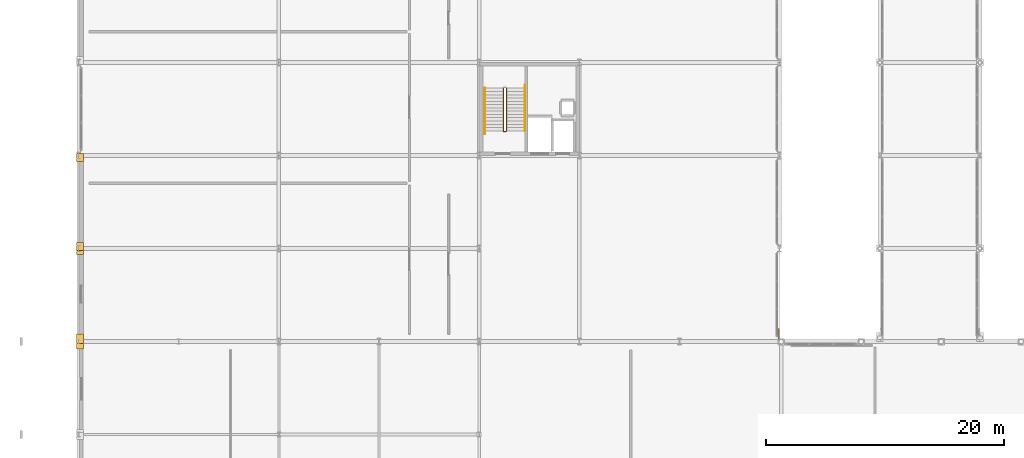
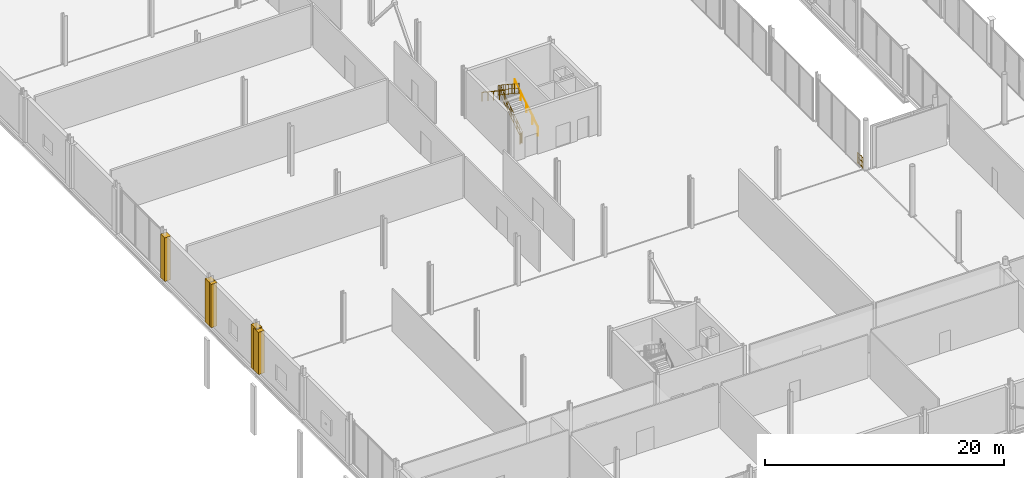
# One storey, part 94 of 105: 6 railings, 5 coverings.
"""IFC4 building model written with IfcOpenShell, lengths in metres."""

from ifc_helpers import new_model, si_unit, direction, frame, origin, origin_2d, place, context, subcontext, project, spatial, polyline, circle, outline, extrude, material, layer, layer_set, type_object, element, save


model = new_model("IFC4")

# Units and contexts
model_context = context("Model", 3, precision=1e-05, world=origin(), true_north=direction((0.0, 1.0)))
body_context = subcontext(model_context, "Body", "Model", "MODEL_VIEW")
ifc_project = project(units=[si_unit("LENGTHUNIT", "METRE"), si_unit("AREAUNIT", "SQUARE_METRE"), si_unit("VOLUMEUNIT", "CUBIC_METRE"), si_unit("PLANEANGLEUNIT", "RADIAN"), si_unit("MASSUNIT", "GRAM", prefix="KILO")], contexts=[model_context])

# Site, building, storey
site_placement = place(None, origin())
site = spatial("IfcSite", under=ifc_project, at=site_placement, CompositionType="ELEMENT")
building_placement = place(site_placement, origin())
building = spatial("IfcBuilding", under=site, at=building_placement, Name="Nabrawat Pavilion Hospital", CompositionType="ELEMENT")
storey_placement = place(building_placement, frame((0.0, 0.0, 5.10009765625)))
storey = spatial("IfcBuildingStorey", under=building, at=storey_placement, Name="L01", CompositionType="ELEMENT", Elevation=5.10009765625)

# Coverings
ifc_material_1 = material(Name="Precast concrete C40/50", Category="concrete")
ifc_layer_1 = layer(ifc_material_1, 0.360107421875, Name="Precast concrete C40/50")
ifc_layer_set_1 = layer_set([ifc_layer_1], Name="Precast concrete C40/50")
covering_type = type_object("IfcCoveringType", Name="Architectural Precast Column-Jamb Closure Reveal", PredefinedType="CLADDING", material=ifc_layer_set_1)
covering_1_placement = place(storey_placement, origin())
element("IfcCovering", 1, at=covering_1_placement, inside=storey, type_object=covering_type, Name="L01 Precast Facade Column-Jamb Weatherseal Closure 0178", PredefinedType="CLADDING", context=body_context, shape_type="SweptSolid", body=[
    extrude(outline(polyline([(0.39990234375, 38.3798828125), (0.39990234375, 39.179931640625), (-0.179931640625, 39.179931640625), (-0.179931640625, 38.3798828125), (0.39990234375, 38.3798828125)])), origin(), (0.0, 0.0, 1.0), 4.329833984375),
])
covering_2_placement = place(storey_placement, origin())
element("IfcCovering", 2, at=covering_2_placement, inside=storey, type_object=covering_type, Name="L01 Precast Facade Column-Jamb Weatherseal Closure 0191", PredefinedType="CLADDING", context=body_context, shape_type="SweptSolid", body=[
    extrude(outline(polyline([(0.39990234375, 38.820068359375), (0.39990234375, 39.6201171875), (-0.179931640625, 39.6201171875), (-0.179931640625, 38.820068359375), (0.39990234375, 38.820068359375)])), origin(), (0.0, 0.0, 1.0), 4.43994140625),
])
covering_3_placement = place(storey_placement, origin())
element("IfcCovering", 3, at=covering_3_placement, inside=storey, type_object=covering_type, Name="L01 Precast Facade Column-Jamb Weatherseal Closure 0192", PredefinedType="CLADDING", context=body_context, shape_type="SweptSolid", body=[
    extrude(outline(polyline([(0.39990234375, 46.294921875), (0.39990234375, 46.97998046875), (-0.179931640625, 46.97998046875), (-0.179931640625, 46.294921875), (0.39990234375, 46.294921875)])), origin(), (0.0, 0.0, 1.0), 4.43994140625),
])
covering_4_placement = place(storey_placement, origin())
element("IfcCovering", 4, at=covering_4_placement, inside=storey, type_object=covering_type, Name="L01 Precast Facade Column-Jamb Weatherseal Closure 0193", PredefinedType="CLADDING", context=body_context, shape_type="SweptSolid", body=[
    extrude(outline(polyline([(0.39990234375, 46.6201171875), (0.39990234375, 47.304931640625), (-0.179931640625, 47.304931640625), (-0.179931640625, 46.6201171875), (0.39990234375, 46.6201171875)])), origin(), (0.0, 0.0, 1.0), 4.4599609375),
])
covering_5_placement = place(storey_placement, origin())
element("IfcCovering", 5, at=covering_5_placement, inside=storey, type_object=covering_type, Name="L01 Precast Facade Column-Jamb Weatherseal Closure 0194", PredefinedType="CLADDING", context=body_context, shape_type="SweptSolid", body=[
    extrude(outline(polyline([(0.39990234375, 54.094970703125), (0.39990234375, 54.780029296875), (-0.179931640625, 54.780029296875), (-0.179931640625, 54.094970703125), (0.39990234375, 54.094970703125)])), origin(), (0.0, 0.0, 1.0), 4.4599609375),
])

# Railings
ifc_material_2 = material(Name="Stainless Steel 316", Category="steel")
ifc_layer_2 = layer(ifc_material_2, 0.070068359375, Name="Stainless Steel 316")
ifc_layer_set_2 = layer_set([ifc_layer_2], Name="Stainless Steel 316")
railing_type_1 = type_object("IfcRailingType", Name="Exterior Clinical Terrace Safety Guardrail 1100", PredefinedType="GUARDRAIL", material=ifc_layer_set_2)
railing_1_placement = place(storey_placement, frame((58.739990234375, 39.1201171875, 0.0)))
element("IfcRailing", 6, at=railing_1_placement, inside=storey, type_object=railing_type_1, Name="L01 Courtyard Seismic Joint Corner Guardrail 01", PredefinedType="GUARDRAIL", context=body_context, shape_type="SweptSolid", body=[
    extrude(circle(Radius=0.02392578125, at=origin_2d()), frame((0.0, 0.0, 1.09619140625), z_axis=(0.0, 1.0, 0.0), x_axis=(-1.0, 0.0, 0.0)), (0.0, 0.0, 1.0), 0.929931640625),
    extrude(circle(Radius=0.02392578125, at=origin_2d()), frame((0.0, 0.0, 0.10009765625), z_axis=(0.0, 1.0, 0.0), x_axis=(-1.0, 0.0, 0.0)), (0.0, 0.0, 1.0), 0.929931640625),
    extrude(circle(Radius=0.02392578125, at=origin_2d()), frame((0.0, 0.0, 0.615966796875), z_axis=(0.0, 1.0, 0.0), x_axis=(-1.0, 0.0, 0.0)), (0.0, 0.0, 1.0), 0.929931640625),
    extrude(circle(Radius=0.008056640625, at=origin_2d()), frame((0.0, 0.232421875, 0.10009765625)), (0.0, 0.0, 1.0), 0.971923828125),
    extrude(circle(Radius=0.008056640625, at=origin_2d()), frame((0.0, 0.46484375, 0.10009765625)), (0.0, 0.0, 1.0), 0.971923828125),
    extrude(circle(Radius=0.008056640625, at=origin_2d()), frame((0.0, 0.697509765625, 0.10009765625)), (0.0, 0.0, 1.0), 0.971923828125),
    extrude(circle(Radius=0.02099609375, at=origin_2d()), origin(), (0.0, 0.0, 1.0), 1.072021484375),
    extrude(circle(Radius=0.02099609375, at=origin_2d()), frame((0.0, 0.929931640625, 0.0)), (0.0, 0.0, 1.0), 1.072021484375),
])
ifc_layer_3 = layer(ifc_material_2, 0.050048828125, Name="Stainless Steel 316")
ifc_layer_set_3 = layer_set([ifc_layer_3], Name="Stainless Steel 316")
railing_type_2 = type_object("IfcRailingType", Name="Stair Open-Well Safety Guardrail 1100", PredefinedType="GUARDRAIL", material=ifc_layer_set_3)
railing_2_placement = place(storey_placement, frame((35.875, 56.669921875, 0.18212890625)))
element("IfcRailing", 7, at=railing_2_placement, inside=storey, type_object=railing_type_2, Name="L01 ST-02 stair guard 1", PredefinedType="GUARDRAIL", context=body_context, shape_type="SweptSolid", body=[
    extrude(circle(Radius=0.02392578125, at=origin_2d()), frame((0.0, 0.0, 1.076171875), z_axis=(0.0, 0.833745659579, 0.552148689334), x_axis=(-1.0, 0.0, 0.0)), (0.0, 0.0, 1.0), 4.2880859375),
    extrude(circle(Radius=0.02392578125, at=origin_2d()), frame((0.0, 0.0, 0.10009765625), z_axis=(0.0, 0.833745659579, 0.552148689334), x_axis=(-1.0, 0.0, 0.0)), (0.0, 0.0, 1.0), 4.2880859375),
    extrude(circle(Radius=0.02392578125, at=origin_2d()), frame((0.0, 0.0, 0.60498046875), z_axis=(0.0, 0.833745659579, 0.552148689334), x_axis=(-1.0, 0.0, 0.0)), (0.0, 0.0, 1.0), 4.2880859375),
    extrude(circle(Radius=0.008056640625, at=origin_2d()), frame((0.0, 0.19873046875, 0.2314453125)), (0.0, 0.0, 1.0), 0.951904296875),
    extrude(circle(Radius=0.008056640625, at=origin_2d()), frame((0.0, 0.397216796875, 0.363037109375)), (0.0, 0.0, 1.0), 0.951904296875),
    extrude(circle(Radius=0.008056640625, at=origin_2d()), frame((0.0, 0.595947265625, 0.49462890625)), (0.0, 0.0, 1.0), 0.951904296875),
    extrude(circle(Radius=0.008056640625, at=origin_2d()), frame((0.0, 0.79443359375, 0.626220703125)), (0.0, 0.0, 1.0), 0.951904296875),
    extrude(circle(Radius=0.008056640625, at=origin_2d()), frame((0.0, 0.9931640625, 0.757568359375)), (0.0, 0.0, 1.0), 0.951904296875),
    extrude(circle(Radius=0.008056640625, at=origin_2d()), frame((0.0, 1.191650390625, 0.88916015625)), (0.0, 0.0, 1.0), 0.951904296875),
    extrude(circle(Radius=0.008056640625, at=origin_2d()), frame((0.0, 1.390380859375, 1.020751953125)), (0.0, 0.0, 1.0), 0.951904296875),
    extrude(circle(Radius=0.008056640625, at=origin_2d()), frame((0.0, 1.5888671875, 1.15234375)), (0.0, 0.0, 1.0), 0.951904296875),
    extrude(circle(Radius=0.008056640625, at=origin_2d()), frame((0.0, 1.986328125, 1.415283203125)), (0.0, 0.0, 1.0), 0.951904296875),
    extrude(circle(Radius=0.008056640625, at=origin_2d()), frame((0.0, 2.184814453125, 1.546875)), (0.0, 0.0, 1.0), 0.951904296875),
    extrude(circle(Radius=0.008056640625, at=origin_2d()), frame((0.0, 2.383544921875, 1.678466796875)), (0.0, 0.0, 1.0), 0.951904296875),
    extrude(circle(Radius=0.008056640625, at=origin_2d()), frame((0.0, 2.58203125, 1.81005859375)), (0.0, 0.0, 1.0), 0.951904296875),
    extrude(circle(Radius=0.008056640625, at=origin_2d()), frame((0.0, 2.78076171875, 1.94140625)), (0.0, 0.0, 1.0), 0.951904296875),
    extrude(circle(Radius=0.008056640625, at=origin_2d()), frame((0.0, 2.979248046875, 2.072998046875)), (0.0, 0.0, 1.0), 0.951904296875),
    extrude(circle(Radius=0.008056640625, at=origin_2d()), frame((0.0, 3.177978515625, 2.20458984375)), (0.0, 0.0, 1.0), 0.951904296875),
    extrude(circle(Radius=0.008056640625, at=origin_2d()), frame((0.0, 3.37646484375, 2.336181640625)), (0.0, 0.0, 1.0), 0.951904296875),
    extrude(circle(Radius=0.02099609375, at=origin_2d()), origin(), (0.0, 0.0, 1.0), 1.052001953125),
    extrude(circle(Radius=0.02099609375, at=origin_2d()), frame((0.0, 0.893798828125, 0.591796875)), (0.0, 0.0, 1.0), 1.052001953125),
    extrude(circle(Radius=0.02099609375, at=origin_2d()), frame((0.0, 1.78759765625, 1.183837890625)), (0.0, 0.0, 1.0), 1.052001953125),
    extrude(circle(Radius=0.02099609375, at=origin_2d()), frame((0.0, 2.681396484375, 1.77587890625)), (0.0, 0.0, 1.0), 1.052001953125),
    extrude(circle(Radius=0.02099609375, at=origin_2d()), frame((0.0, 3.5751953125, 2.36767578125)), (0.0, 0.0, 1.0), 1.052001953125),
])
railing_3_placement = place(storey_placement, frame((35.625, 60.2451171875, 2.73193359375)))
element("IfcRailing", 8, at=railing_3_placement, inside=storey, type_object=railing_type_2, Name="L01 ST-02 stair guard 3", PredefinedType="GUARDRAIL", context=body_context, shape_type="SweptSolid", body=[
    extrude(circle(Radius=0.02392578125, at=origin_2d()), frame((0.0, 0.0, 1.076171875), z_axis=(0.0, -0.833719449677, 0.5521882643), x_axis=(1.0, 0.0, 0.0)), (0.0, 0.0, 1.0), 4.288330078125),
    extrude(circle(Radius=0.02392578125, at=origin_2d()), frame((0.0, 0.0, 0.10009765625), z_axis=(0.0, -0.833719449677, 0.5521882643), x_axis=(1.0, 0.0, 0.0)), (0.0, 0.0, 1.0), 4.288330078125),
    extrude(circle(Radius=0.02392578125, at=origin_2d()), frame((0.0, 0.0, 0.60498046875), z_axis=(0.0, -0.833719449677, 0.5521882643), x_axis=(1.0, 0.0, 0.0)), (0.0, 0.0, 1.0), 4.288330078125),
    extrude(circle(Radius=0.008056640625, at=origin_2d()), frame((0.0, -0.19873046875, 0.2314453125)), (0.0, 0.0, 1.0), 0.951904296875),
    extrude(circle(Radius=0.008056640625, at=origin_2d()), frame((0.0, -0.397216796875, 0.363037109375)), (0.0, 0.0, 1.0), 0.951904296875),
    extrude(circle(Radius=0.008056640625, at=origin_2d()), frame((0.0, -0.595947265625, 0.49462890625)), (0.0, 0.0, 1.0), 0.951904296875),
    extrude(circle(Radius=0.008056640625, at=origin_2d()), frame((0.0, -0.79443359375, 0.626220703125)), (0.0, 0.0, 1.0), 0.951904296875),
    extrude(circle(Radius=0.008056640625, at=origin_2d()), frame((0.0, -0.9931640625, 0.7578125)), (0.0, 0.0, 1.0), 0.951904296875),
    extrude(circle(Radius=0.008056640625, at=origin_2d()), frame((0.0, -1.191650390625, 0.889404296875)), (0.0, 0.0, 1.0), 0.951904296875),
    extrude(circle(Radius=0.008056640625, at=origin_2d()), frame((0.0, -1.390380859375, 1.020751953125)), (0.0, 0.0, 1.0), 0.951904296875),
    extrude(circle(Radius=0.008056640625, at=origin_2d()), frame((0.0, -1.5888671875, 1.15234375)), (0.0, 0.0, 1.0), 0.951904296875),
    extrude(circle(Radius=0.008056640625, at=origin_2d()), frame((0.0, -1.986328125, 1.41552734375)), (0.0, 0.0, 1.0), 0.951904296875),
    extrude(circle(Radius=0.008056640625, at=origin_2d()), frame((0.0, -2.184814453125, 1.547119140625)), (0.0, 0.0, 1.0), 0.951904296875),
    extrude(circle(Radius=0.008056640625, at=origin_2d()), frame((0.0, -2.383544921875, 1.6787109375)), (0.0, 0.0, 1.0), 0.951904296875),
    extrude(circle(Radius=0.008056640625, at=origin_2d()), frame((0.0, -2.58203125, 1.81005859375)), (0.0, 0.0, 1.0), 0.951904296875),
    extrude(circle(Radius=0.008056640625, at=origin_2d()), frame((0.0, -2.78076171875, 1.941650390625)), (0.0, 0.0, 1.0), 0.951904296875),
    extrude(circle(Radius=0.008056640625, at=origin_2d()), frame((0.0, -2.979248046875, 2.0732421875)), (0.0, 0.0, 1.0), 0.951904296875),
    extrude(circle(Radius=0.008056640625, at=origin_2d()), frame((0.0, -3.177978515625, 2.204833984375)), (0.0, 0.0, 1.0), 0.951904296875),
    extrude(circle(Radius=0.008056640625, at=origin_2d()), frame((0.0, -3.37646484375, 2.33642578125)), (0.0, 0.0, 1.0), 0.951904296875),
    extrude(circle(Radius=0.02099609375, at=origin_2d()), origin(), (0.0, 0.0, 1.0), 1.052001953125),
    extrude(circle(Radius=0.02099609375, at=origin_2d()), frame((0.0, -0.893798828125, 0.592041015625)), (0.0, 0.0, 1.0), 1.052001953125),
    extrude(circle(Radius=0.02099609375, at=origin_2d()), frame((0.0, -1.78759765625, 1.18408203125)), (0.0, 0.0, 1.0), 1.052001953125),
    extrude(circle(Radius=0.02099609375, at=origin_2d()), frame((0.0, -2.681396484375, 1.77587890625)), (0.0, 0.0, 1.0), 1.052001953125),
    extrude(circle(Radius=0.02099609375, at=origin_2d()), frame((0.0, -3.5751953125, 2.367919921875)), (0.0, 0.0, 1.0), 1.052001953125),
])
railing_4_placement = place(storey_placement, frame((35.85009765625, 56.6201171875, 0.0)))
element("IfcRailing", 9, at=railing_4_placement, inside=storey, type_object=railing_type_2, Name="L01 ST-02 stair guard 4", PredefinedType="GUARDRAIL", context=body_context, shape_type="SweptSolid", body=[
    extrude(circle(Radius=0.02392578125, at=origin_2d()), frame((0.0, 0.0, 1.076171875), z_axis=(-1.0, 0.0, 0.0), x_axis=(0.0, -1.0, 0.0)), (0.0, 0.0, 1.0), 0.2001953125),
    extrude(circle(Radius=0.02392578125, at=origin_2d()), frame((0.0, 0.0, 0.10009765625), z_axis=(-1.0, 0.0, 0.0), x_axis=(0.0, -1.0, 0.0)), (0.0, 0.0, 1.0), 0.2001953125),
    extrude(circle(Radius=0.02392578125, at=origin_2d()), frame((0.0, 0.0, 0.60498046875), z_axis=(-1.0, 0.0, 0.0), x_axis=(0.0, -1.0, 0.0)), (0.0, 0.0, 1.0), 0.2001953125),
    extrude(circle(Radius=0.008056640625, at=origin_2d()), frame((-0.10009765625, 0.0, 0.10009765625)), (0.0, 0.0, 1.0), 0.951904296875),
    extrude(circle(Radius=0.02099609375, at=origin_2d()), origin(), (0.0, 0.0, 1.0), 1.052001953125),
    extrude(circle(Radius=0.02099609375, at=origin_2d()), frame((-0.2001953125, 0.0, 0.0)), (0.0, 0.0, 1.0), 1.052001953125),
])
ifc_layer_4 = layer(ifc_material_2, 0.044921875, Name="Stainless Steel 316")
ifc_layer_set_4 = layer_set([ifc_layer_4], Name="Stainless Steel 316")
railing_type_3 = type_object("IfcRailingType", Name="Stair Pitch Continuous Handrail 920", PredefinedType="HANDRAIL", material=ifc_layer_set_4)
railing_5_placement = place(storey_placement, frame((37.425048828125, 56.669921875, 0.18603515625)))
element("IfcRailing", 10, at=railing_5_placement, inside=storey, type_object=railing_type_3, Name="L01 ST-02 stair handrail 1", PredefinedType="HANDRAIL", context=body_context, shape_type="SweptSolid", body=[
    extrude(circle(Radius=0.02392578125, at=origin_2d()), frame((0.0, 0.0, 0.89599609375), z_axis=(0.0, 0.833713881912, 0.552196670677), x_axis=(-1.0, 0.0, 0.0)), (0.0, 0.0, 1.0), 4.617919921875),
    extrude(circle(Radius=0.02099609375, at=origin_2d()), origin(), (0.0, 0.0, 1.0), 0.871826171875),
    extrude(circle(Radius=0.02099609375, at=origin_2d()), frame((0.0, 0.96240234375, 0.637451171875)), (0.0, 0.0, 1.0), 0.871826171875),
    extrude(circle(Radius=0.02099609375, at=origin_2d()), frame((0.0, 1.925048828125, 1.27490234375)), (0.0, 0.0, 1.0), 0.871826171875),
    extrude(circle(Radius=0.02099609375, at=origin_2d()), frame((0.0, 2.8876953125, 1.91259765625)), (0.0, 0.0, 1.0), 0.871826171875),
    extrude(circle(Radius=0.02099609375, at=origin_2d()), frame((0.0, 3.85009765625, 2.550048828125)), (0.0, 0.0, 1.0), 0.871826171875),
])
railing_6_placement = place(storey_placement, frame((34.074951171875, 60.2451171875, 2.736083984375)))
element("IfcRailing", 11, at=railing_6_placement, inside=storey, type_object=railing_type_3, Name="L01 ST-02 stair handrail 2", PredefinedType="HANDRAIL", context=body_context, shape_type="SweptSolid", body=[
    extrude(circle(Radius=0.02392578125, at=origin_2d()), frame((0.0, 0.0, 0.89599609375), z_axis=(0.0, -0.833713881912, 0.552196670677), x_axis=(1.0, 0.0, 0.0)), (0.0, 0.0, 1.0), 4.617919921875),
    extrude(circle(Radius=0.02099609375, at=origin_2d()), origin(), (0.0, 0.0, 1.0), 0.871826171875),
    extrude(circle(Radius=0.02099609375, at=origin_2d()), frame((0.0, -0.96240234375, 0.637451171875)), (0.0, 0.0, 1.0), 0.871826171875),
    extrude(circle(Radius=0.02099609375, at=origin_2d()), frame((0.0, -1.925048828125, 1.27490234375)), (0.0, 0.0, 1.0), 0.871826171875),
    extrude(circle(Radius=0.02099609375, at=origin_2d()), frame((0.0, -2.8876953125, 1.91259765625)), (0.0, 0.0, 1.0), 0.871826171875),
    extrude(circle(Radius=0.02099609375, at=origin_2d()), frame((0.0, -3.85009765625, 2.550048828125)), (0.0, 0.0, 1.0), 0.871826171875),
])

save(model, "model.ifc")
